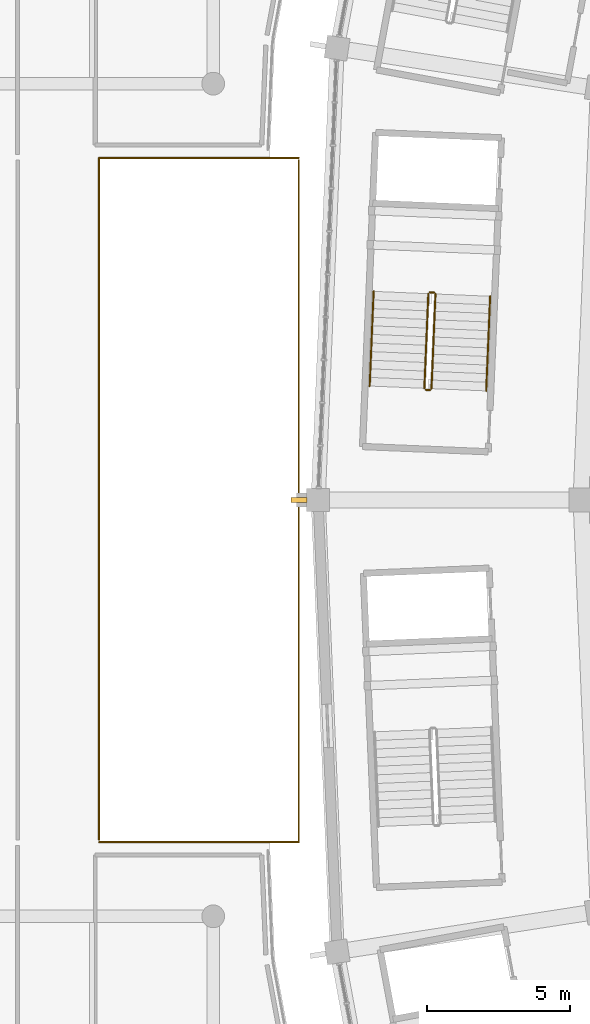
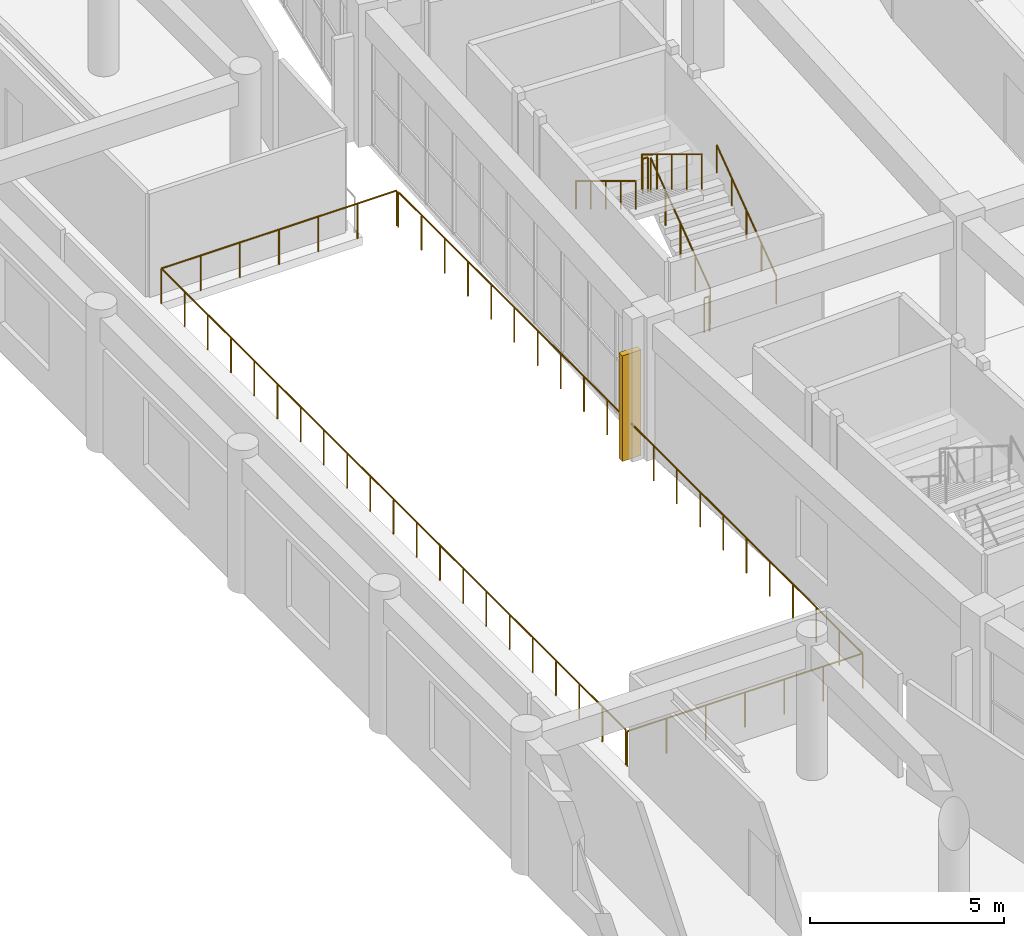
# One storey, part 125 of 145: 8 railings, 1 shading device.
"""IFC4 building model written with IfcOpenShell, lengths in metres."""

from ifc_helpers import new_model, si_unit, direction, frame, origin, origin_2d, place, context, subcontext, project, spatial, rectangle, circle, extrude, material, type_object, element, save


model = new_model("IFC4")

# Units and contexts
model_context = context("Model", 3, precision=1e-05, world=origin(), true_north=direction((0.0, 1.0)))
body_context = subcontext(model_context, "Body", "Model", "MODEL_VIEW")
ifc_project = project(units=[si_unit("LENGTHUNIT", "METRE"), si_unit("AREAUNIT", "SQUARE_METRE"), si_unit("VOLUMEUNIT", "CUBIC_METRE"), si_unit("PLANEANGLEUNIT", "RADIAN"), si_unit("MASSUNIT", "GRAM", prefix="KILO")], contexts=[model_context])

# Site, building, storey
site_placement = place(None, origin())
site = spatial("IfcSite", under=ifc_project, at=site_placement, CompositionType="ELEMENT")
building_placement = place(site_placement, origin())
building = spatial("IfcBuilding", under=site, at=building_placement, Name="Mphavela Belvedere Stadium", CompositionType="ELEMENT")
storey_placement = place(building_placement, frame((0.0, 0.0, 10.199951171875)))
storey = spatial("IfcBuildingStorey", under=building, at=storey_placement, Name="L02", CompositionType="ELEMENT", Elevation=10.199951171875)

# Railings
ifc_material_1 = material(Name="Bronze and laminated glass stadium balustrade", Category="glass")
railing_type_1 = type_object("IfcRailingType", Name="RAL-BALUSTRADE-1120", PredefinedType="BALUSTRADE", material=ifc_material_1)
railing_1_placement = place(storey_placement, frame((4.5, 75.0, 0.0)))
element("IfcRailing", 1, at=railing_1_placement, inside=storey, type_object=railing_type_1, Name="West Planted Eaves Peristyle Colonnade court balustrade L02-A", PredefinedType="BALUSTRADE", context=body_context, shape_type="SweptSolid", body=[
    extrude(circle(Radius=0.02392578125, at=origin_2d()), frame((0.0, 0.0, 1.09619140625), z_axis=(1.0, 0.0, 0.0), x_axis=(0.0, 1.0, 0.0)), (0.0, 0.0, 1.0), 7.0),
    extrude(circle(Radius=0.02392578125, at=origin_2d()), frame((7.0, 0.0, 1.09619140625), z_axis=(0.0, 1.0, 0.0), x_axis=(-1.0, 0.0, 0.0)), (0.0, 0.0, 1.0), 23.919921875),
    extrude(circle(Radius=0.02099609375, at=origin_2d()), origin(), (0.0, 0.0, 1.0), 1.072021484375),
    extrude(circle(Radius=0.02099609375, at=origin_2d()), frame((1.166748046875, 0.0, 0.0)), (0.0, 0.0, 1.0), 1.072021484375),
    extrude(circle(Radius=0.02099609375, at=origin_2d()), frame((2.333251953125, 0.0, 0.0)), (0.0, 0.0, 1.0), 1.072021484375),
    extrude(circle(Radius=0.02099609375, at=origin_2d()), frame((3.5, 0.0, 0.0)), (0.0, 0.0, 1.0), 1.072021484375),
    extrude(circle(Radius=0.02099609375, at=origin_2d()), frame((4.666748046875, 0.0, 0.0)), (0.0, 0.0, 1.0), 1.072021484375),
    extrude(circle(Radius=0.02099609375, at=origin_2d()), frame((5.833251953125, 0.0, 0.0)), (0.0, 0.0, 1.0), 1.072021484375),
    extrude(circle(Radius=0.02099609375, at=origin_2d()), frame((7.0, 0.0, 0.0)), (0.0, 0.0, 1.0), 1.072021484375),
    extrude(circle(Radius=0.02099609375, at=origin_2d()), frame((7.0, 1.196044921875, 0.0)), (0.0, 0.0, 1.0), 1.072021484375),
    extrude(circle(Radius=0.02099609375, at=origin_2d()), frame((7.0, 2.39208984375, 0.0)), (0.0, 0.0, 1.0), 1.072021484375),
    extrude(circle(Radius=0.02099609375, at=origin_2d()), frame((7.0, 3.587890625, 0.0)), (0.0, 0.0, 1.0), 1.072021484375),
    extrude(circle(Radius=0.02099609375, at=origin_2d()), frame((7.0, 4.783935546875, 0.0)), (0.0, 0.0, 1.0), 1.072021484375),
    extrude(circle(Radius=0.02099609375, at=origin_2d()), frame((7.0, 5.97998046875, 0.0)), (0.0, 0.0, 1.0), 1.072021484375),
    extrude(circle(Radius=0.02099609375, at=origin_2d()), frame((7.0, 7.176025390625, 0.0)), (0.0, 0.0, 1.0), 1.072021484375),
    extrude(circle(Radius=0.02099609375, at=origin_2d()), frame((7.0, 8.3720703125, 0.0)), (0.0, 0.0, 1.0), 1.072021484375),
    extrude(circle(Radius=0.02099609375, at=origin_2d()), frame((7.0, 9.56787109375, 0.0)), (0.0, 0.0, 1.0), 1.072021484375),
    extrude(circle(Radius=0.02099609375, at=origin_2d()), frame((7.0, 10.763916015625, 0.0)), (0.0, 0.0, 1.0), 1.072021484375),
    extrude(circle(Radius=0.02099609375, at=origin_2d()), frame((7.0, 11.9599609375, 0.0)), (0.0, 0.0, 1.0), 1.072021484375),
    extrude(circle(Radius=0.02099609375, at=origin_2d()), frame((7.0, 13.156005859375, 0.0)), (0.0, 0.0, 1.0), 1.072021484375),
    extrude(circle(Radius=0.02099609375, at=origin_2d()), frame((7.0, 14.35205078125, 0.0)), (0.0, 0.0, 1.0), 1.072021484375),
    extrude(circle(Radius=0.02099609375, at=origin_2d()), frame((7.0, 15.5478515625, 0.0)), (0.0, 0.0, 1.0), 1.072021484375),
    extrude(circle(Radius=0.02099609375, at=origin_2d()), frame((7.0, 16.743896484375, 0.0)), (0.0, 0.0, 1.0), 1.072021484375),
    extrude(circle(Radius=0.02099609375, at=origin_2d()), frame((7.0, 17.93994140625, 0.0)), (0.0, 0.0, 1.0), 1.072021484375),
    extrude(circle(Radius=0.02099609375, at=origin_2d()), frame((7.0, 19.135986328125, 0.0)), (0.0, 0.0, 1.0), 1.072021484375),
    extrude(circle(Radius=0.02099609375, at=origin_2d()), frame((7.0, 20.33203125, 0.0)), (0.0, 0.0, 1.0), 1.072021484375),
    extrude(circle(Radius=0.02099609375, at=origin_2d()), frame((7.0, 21.52783203125, 0.0)), (0.0, 0.0, 1.0), 1.072021484375),
    extrude(circle(Radius=0.02099609375, at=origin_2d()), frame((7.0, 22.723876953125, 0.0)), (0.0, 0.0, 1.0), 1.072021484375),
    extrude(circle(Radius=0.02099609375, at=origin_2d()), frame((7.0, 23.919921875, 0.0)), (0.0, 0.0, 1.0), 1.072021484375),
])
railing_2_placement = place(storey_placement, frame((11.5, 99.0, 0.0)))
element("IfcRailing", 2, at=railing_2_placement, inside=storey, type_object=railing_type_1, Name="West Planted Eaves Peristyle Colonnade court balustrade L02-B", PredefinedType="BALUSTRADE", context=body_context, shape_type="SweptSolid", body=[
    extrude(circle(Radius=0.02392578125, at=origin_2d()), frame((0.0, 0.0, 1.09619140625), z_axis=(-1.0, 0.0, 0.0), x_axis=(0.0, -1.0, 0.0)), (0.0, 0.0, 1.0), 7.0),
    extrude(circle(Radius=0.02392578125, at=origin_2d()), frame((-7.0, 0.0, 1.09619140625), z_axis=(0.0, -1.0, 0.0), x_axis=(1.0, 0.0, 0.0)), (0.0, 0.0, 1.0), 23.919921875),
    extrude(circle(Radius=0.02099609375, at=origin_2d()), origin(), (0.0, 0.0, 1.0), 1.072021484375),
    extrude(circle(Radius=0.02099609375, at=origin_2d()), frame((-1.166748046875, 0.0, 0.0)), (0.0, 0.0, 1.0), 1.072021484375),
    extrude(circle(Radius=0.02099609375, at=origin_2d()), frame((-2.333251953125, 0.0, 0.0)), (0.0, 0.0, 1.0), 1.072021484375),
    extrude(circle(Radius=0.02099609375, at=origin_2d()), frame((-3.5, 0.0, 0.0)), (0.0, 0.0, 1.0), 1.072021484375),
    extrude(circle(Radius=0.02099609375, at=origin_2d()), frame((-4.666748046875, 0.0, 0.0)), (0.0, 0.0, 1.0), 1.072021484375),
    extrude(circle(Radius=0.02099609375, at=origin_2d()), frame((-5.833251953125, 0.0, 0.0)), (0.0, 0.0, 1.0), 1.072021484375),
    extrude(circle(Radius=0.02099609375, at=origin_2d()), frame((-7.0, 0.0, 0.0)), (0.0, 0.0, 1.0), 1.072021484375),
    extrude(circle(Radius=0.02099609375, at=origin_2d()), frame((-7.0, -1.196044921875, 0.0)), (0.0, 0.0, 1.0), 1.072021484375),
    extrude(circle(Radius=0.02099609375, at=origin_2d()), frame((-7.0, -2.39208984375, 0.0)), (0.0, 0.0, 1.0), 1.072021484375),
    extrude(circle(Radius=0.02099609375, at=origin_2d()), frame((-7.0, -3.587890625, 0.0)), (0.0, 0.0, 1.0), 1.072021484375),
    extrude(circle(Radius=0.02099609375, at=origin_2d()), frame((-7.0, -4.783935546875, 0.0)), (0.0, 0.0, 1.0), 1.072021484375),
    extrude(circle(Radius=0.02099609375, at=origin_2d()), frame((-7.0, -5.97998046875, 0.0)), (0.0, 0.0, 1.0), 1.072021484375),
    extrude(circle(Radius=0.02099609375, at=origin_2d()), frame((-7.0, -7.176025390625, 0.0)), (0.0, 0.0, 1.0), 1.072021484375),
    extrude(circle(Radius=0.02099609375, at=origin_2d()), frame((-7.0, -8.3720703125, 0.0)), (0.0, 0.0, 1.0), 1.072021484375),
    extrude(circle(Radius=0.02099609375, at=origin_2d()), frame((-7.0, -9.56787109375, 0.0)), (0.0, 0.0, 1.0), 1.072021484375),
    extrude(circle(Radius=0.02099609375, at=origin_2d()), frame((-7.0, -10.763916015625, 0.0)), (0.0, 0.0, 1.0), 1.072021484375),
    extrude(circle(Radius=0.02099609375, at=origin_2d()), frame((-7.0, -11.9599609375, 0.0)), (0.0, 0.0, 1.0), 1.072021484375),
    extrude(circle(Radius=0.02099609375, at=origin_2d()), frame((-7.0, -13.156005859375, 0.0)), (0.0, 0.0, 1.0), 1.072021484375),
    extrude(circle(Radius=0.02099609375, at=origin_2d()), frame((-7.0, -14.35205078125, 0.0)), (0.0, 0.0, 1.0), 1.072021484375),
    extrude(circle(Radius=0.02099609375, at=origin_2d()), frame((-7.0, -15.5478515625, 0.0)), (0.0, 0.0, 1.0), 1.072021484375),
    extrude(circle(Radius=0.02099609375, at=origin_2d()), frame((-7.0, -16.743896484375, 0.0)), (0.0, 0.0, 1.0), 1.072021484375),
    extrude(circle(Radius=0.02099609375, at=origin_2d()), frame((-7.0, -17.93994140625, 0.0)), (0.0, 0.0, 1.0), 1.072021484375),
    extrude(circle(Radius=0.02099609375, at=origin_2d()), frame((-7.0, -19.135986328125, 0.0)), (0.0, 0.0, 1.0), 1.072021484375),
    extrude(circle(Radius=0.02099609375, at=origin_2d()), frame((-7.0, -20.33203125, 0.0)), (0.0, 0.0, 1.0), 1.072021484375),
    extrude(circle(Radius=0.02099609375, at=origin_2d()), frame((-7.0, -21.52783203125, 0.0)), (0.0, 0.0, 1.0), 1.072021484375),
    extrude(circle(Radius=0.02099609375, at=origin_2d()), frame((-7.0, -22.723876953125, 0.0)), (0.0, 0.0, 1.0), 1.072021484375),
    extrude(circle(Radius=0.02099609375, at=origin_2d()), frame((-7.0, -23.919921875, 0.0)), (0.0, 0.0, 1.0), 1.072021484375),
])
ifc_material_2 = material(Name="Painted galvanised steel stair guardrail", Category="steel")
railing_type_2 = type_object("IfcRailingType", Name="RAL-GUARD-1120", PredefinedType="GUARDRAIL", material=ifc_material_2)
railing_3_placement = place(storey_placement, frame((16.15478515625, 90.906005859375, 0.1875)))
element("IfcRailing", 3, at=railing_3_placement, inside=storey, type_object=railing_type_2, Name="L02 ST-C07 stair guard 1", PredefinedType="GUARDRAIL", context=body_context, shape_type="SweptSolid", body=[
    extrude(circle(Radius=0.02392578125, at=origin_2d()), frame((0.0, 0.0, 1.09619140625), z_axis=(0.035589037861, 0.848829771435, 0.527467003243), x_axis=(-0.999122212945, 0.041890375975, 0.0)), (0.0, 0.0, 1.0), 3.91015625),
    extrude(circle(Radius=0.02099609375, at=origin_2d()), origin(), (0.0, 0.0, 1.0), 1.072021484375),
    extrude(circle(Radius=0.02099609375, at=origin_2d()), frame((0.03466796875, 0.829833984375, 0.515625)), (0.0, 0.0, 1.0), 1.072021484375),
    extrude(circle(Radius=0.02099609375, at=origin_2d()), frame((0.069580078125, 1.65966796875, 1.03125)), (0.0, 0.0, 1.0), 1.072021484375),
    extrude(circle(Radius=0.02099609375, at=origin_2d()), frame((0.1044921875, 2.4892578125, 1.546875)), (0.0, 0.0, 1.0), 1.072021484375),
    extrude(circle(Radius=0.02099609375, at=origin_2d()), frame((0.13916015625, 3.319091796875, 2.0625)), (0.0, 0.0, 1.0), 1.072021484375),
])
railing_4_placement = place(storey_placement, frame((16.245849609375, 94.277099609375, 2.25)))
element("IfcRailing", 4, at=railing_4_placement, inside=storey, type_object=railing_type_2, Name="L02 ST-C07 stair guard 2", PredefinedType="GUARDRAIL", context=body_context, shape_type="SweptSolid", body=[
    extrude(circle(Radius=0.02392578125, at=origin_2d()), frame((0.0, 0.0, 1.09619140625), z_axis=(-0.999101723022, 0.042376255789, 0.0), x_axis=(-0.042376255789, -0.999101723022, 0.0)), (0.0, 0.0, 1.0), 0.14990234375),
    extrude(circle(Radius=0.02099609375, at=origin_2d()), origin(), (0.0, 0.0, 1.0), 1.072021484375),
    extrude(circle(Radius=0.02099609375, at=origin_2d()), frame((-0.149658203125, 0.00634765625, 0.0)), (0.0, 0.0, 1.0), 1.072021484375),
])
railing_5_placement = place(storey_placement, frame((16.0439453125, 94.235595703125, 2.4375)))
element("IfcRailing", 5, at=railing_5_placement, inside=storey, type_object=railing_type_2, Name="L02 ST-C07 stair guard 3", PredefinedType="GUARDRAIL", context=body_context, shape_type="SweptSolid", body=[
    extrude(circle(Radius=0.02392578125, at=origin_2d()), frame((0.0, 0.0, 1.09619140625), z_axis=(-0.035526679826, -0.848831655946, 0.527468174287), x_axis=(0.999125286162, -0.041817012712, 0.0)), (0.0, 0.0, 1.0), 3.91015625),
    extrude(circle(Radius=0.02099609375, at=origin_2d()), origin(), (0.0, 0.0, 1.0), 1.072021484375),
    extrude(circle(Radius=0.02099609375, at=origin_2d()), frame((-0.03466796875, -0.829833984375, 0.515625)), (0.0, 0.0, 1.0), 1.072021484375),
    extrude(circle(Radius=0.02099609375, at=origin_2d()), frame((-0.0693359375, -1.65966796875, 1.03125)), (0.0, 0.0, 1.0), 1.072021484375),
    extrude(circle(Radius=0.02099609375, at=origin_2d()), frame((-0.104248046875, -2.4892578125, 1.546875)), (0.0, 0.0, 1.0), 1.072021484375),
    extrude(circle(Radius=0.02099609375, at=origin_2d()), frame((-0.138916015625, -3.319091796875, 2.0625)), (0.0, 0.0, 1.0), 1.072021484375),
])
railing_6_placement = place(storey_placement, frame((16.102783203125, 90.858154296875, 0.0)))
element("IfcRailing", 6, at=railing_6_placement, inside=storey, type_object=railing_type_2, Name="L02 ST-C07 stair guard 4", PredefinedType="GUARDRAIL", context=body_context, shape_type="SweptSolid", body=[
    extrude(circle(Radius=0.02392578125, at=origin_2d()), frame((0.0, 0.0, 1.09619140625), z_axis=(-0.999104642697, 0.04230736272, 0.0), x_axis=(-0.04230736272, -0.999104642697, 0.0)), (0.0, 0.0, 1.0), 0.150146484375),
    extrude(circle(Radius=0.02099609375, at=origin_2d()), origin(), (0.0, 0.0, 1.0), 1.072021484375),
    extrude(circle(Radius=0.02099609375, at=origin_2d()), frame((-0.14990234375, 0.00634765625, 0.0)), (0.0, 0.0, 1.0), 1.072021484375),
])
ifc_material_3 = material(Name="Brushed stainless steel tubular handrail", Category="steel")
railing_type_3 = type_object("IfcRailingType", Name="RAL-HANDRAIL-900", PredefinedType="HANDRAIL", material=ifc_material_3)
railing_7_placement = place(storey_placement, frame((18.072998046875, 90.82568359375, 0.1875)))
element("IfcRailing", 7, at=railing_7_placement, inside=storey, type_object=railing_type_3, Name="L02 ST-C07 stair handrail 1", PredefinedType="HANDRAIL", context=body_context, shape_type="SweptSolid", body=[
    extrude(circle(Radius=0.02392578125, at=origin_2d()), frame((0.0, 0.0, 0.8759765625), z_axis=(0.035589037861, 0.848829771435, 0.527467003243), x_axis=(-0.999122212945, 0.041890375975, 0.0)), (0.0, 0.0, 1.0), 3.91015625),
    extrude(circle(Radius=0.02099609375, at=origin_2d()), origin(), (0.0, 0.0, 1.0), 0.851806640625),
    extrude(circle(Radius=0.02099609375, at=origin_2d()), frame((0.03466796875, 0.829833984375, 0.515625)), (0.0, 0.0, 1.0), 0.851806640625),
    extrude(circle(Radius=0.02099609375, at=origin_2d()), frame((0.069580078125, 1.65966796875, 1.03125)), (0.0, 0.0, 1.0), 0.851806640625),
    extrude(circle(Radius=0.02099609375, at=origin_2d()), frame((0.1044921875, 2.4892578125, 1.546875)), (0.0, 0.0, 1.0), 0.851806640625),
    extrude(circle(Radius=0.02099609375, at=origin_2d()), frame((0.13916015625, 3.319091796875, 2.0625)), (0.0, 0.0, 1.0), 0.851806640625),
])
railing_8_placement = place(storey_placement, frame((14.125732421875, 94.31591796875, 2.4375)))
element("IfcRailing", 8, at=railing_8_placement, inside=storey, type_object=railing_type_3, Name="L02 ST-C07 stair handrail 2", PredefinedType="HANDRAIL", context=body_context, shape_type="SweptSolid", body=[
    extrude(circle(Radius=0.02392578125, at=origin_2d()), frame((0.0, 0.0, 0.8759765625), z_axis=(-0.035589037861, -0.848829771435, 0.527467003243), x_axis=(0.999122212945, -0.041890375975, 0.0)), (0.0, 0.0, 1.0), 3.91015625),
    extrude(circle(Radius=0.02099609375, at=origin_2d()), origin(), (0.0, 0.0, 1.0), 0.851806640625),
    extrude(circle(Radius=0.02099609375, at=origin_2d()), frame((-0.03466796875, -0.829833984375, 0.515625)), (0.0, 0.0, 1.0), 0.851806640625),
    extrude(circle(Radius=0.02099609375, at=origin_2d()), frame((-0.069580078125, -1.65966796875, 1.03125)), (0.0, 0.0, 1.0), 0.851806640625),
    extrude(circle(Radius=0.02099609375, at=origin_2d()), frame((-0.1044921875, -2.4892578125, 1.546875)), (0.0, 0.0, 1.0), 0.851806640625),
    extrude(circle(Radius=0.02099609375, at=origin_2d()), frame((-0.13916015625, -3.319091796875, 2.0625)), (0.0, 0.0, 1.0), 0.851806640625),
])

# Shading device
ifc_material_4 = material(Name="Honed limestone and bronze vertical brise-soleil fin", Category="masonry")
shading_device_type = type_object("IfcShadingDeviceType", Name="SHD-SOLAR-FIN", PredefinedType="USERDEFINED", material=ifc_material_4)
shading_device_placement = place(storey_placement, frame((11.507080078125, 87.0, 0.0), z_axis=(0.0, 0.0, 1.0), x_axis=(-1.0, 0.0, 0.0)))
element("IfcShadingDevice", 9, at=shading_device_placement, inside=storey, type_object=shading_device_type, Name="Classical vertical solar brise-soleil fin L02-25", ObjectType="SOLAR FIN", PredefinedType="USERDEFINED", context=body_context, shape_type="SweptSolid", body=[
    extrude(rectangle(XDim=0.550048828125, YDim=0.179931640625, at=origin_2d()), origin(), (0.0, 0.0, 1.0), 3.320068359375),
])

save(model, "model.ifc")
